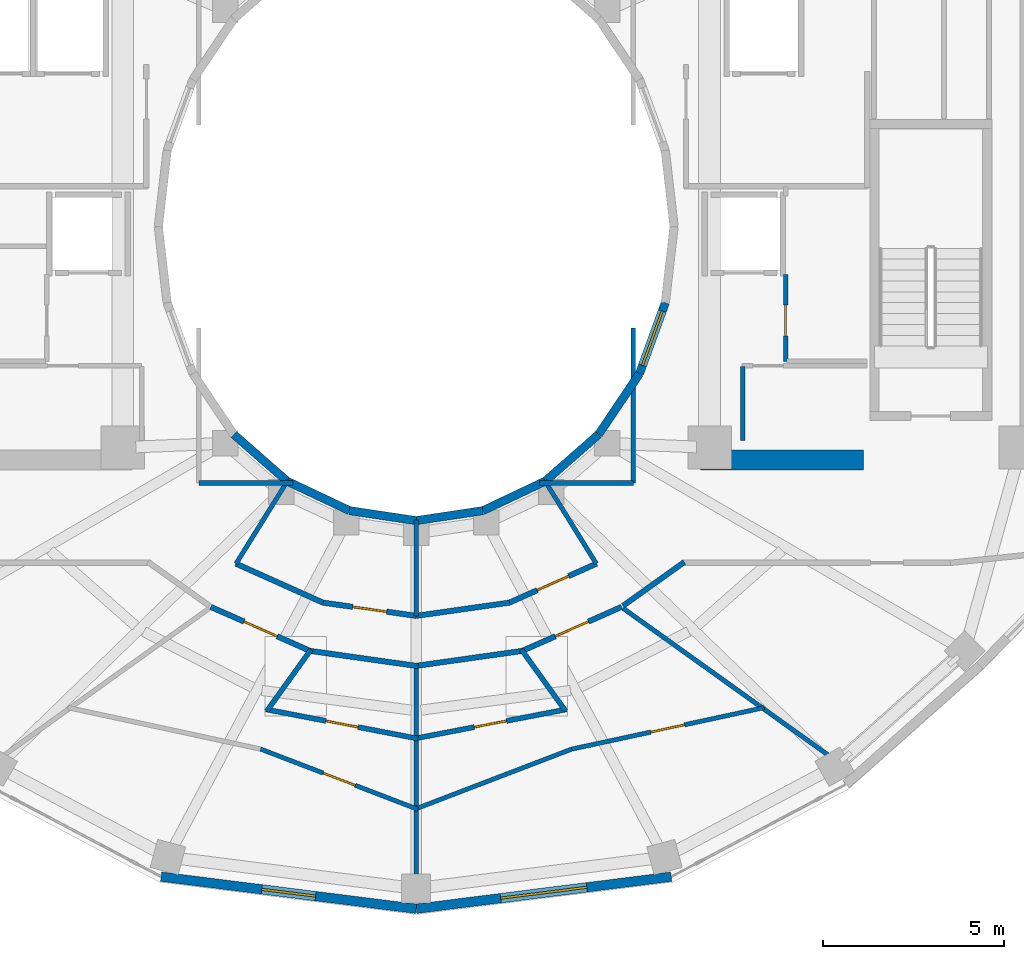
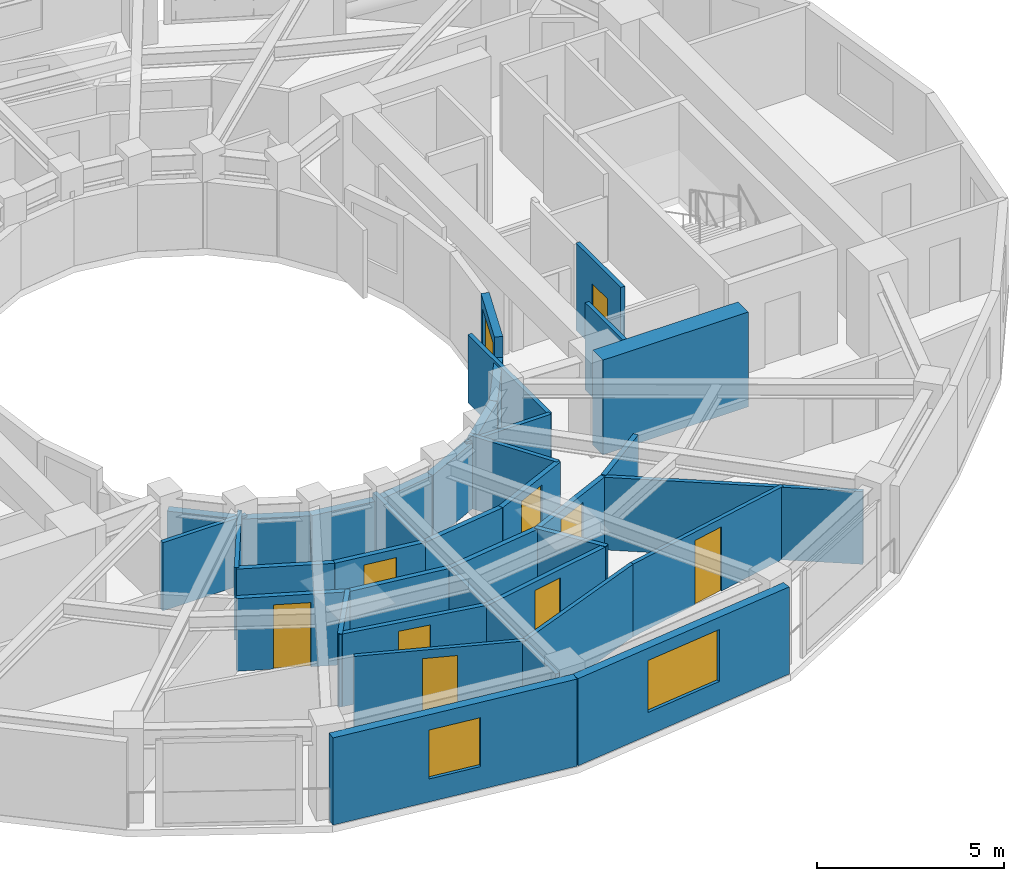
# One storey, part 10 of 16: 37 walls, 9 doors, 3 windows, 12 openings.
"""IFC4 building model written with IfcOpenShell, lengths in metres."""

from ifc_helpers import new_model, si_unit, direction, frame, frame_2d, origin, place, context, subcontext, project, spatial, rectangle, extrude, material, layer, layer_set, type_object, element, fill, save


model = new_model("IFC4")

# Units and contexts
model_context = context("Model", 3, precision=1e-05, world=origin(), true_north=direction((0.0, 1.0)))
body_context = subcontext(model_context, "Body", "Model", "MODEL_VIEW")
ifc_project = project(units=[si_unit("LENGTHUNIT", "METRE"), si_unit("AREAUNIT", "SQUARE_METRE"), si_unit("VOLUMEUNIT", "CUBIC_METRE"), si_unit("PLANEANGLEUNIT", "RADIAN"), si_unit("MASSUNIT", "GRAM", prefix="KILO")], contexts=[model_context])

# Site, building, storey
site_placement = place(None, origin())
site = spatial("IfcSite", under=ifc_project, at=site_placement, CompositionType="ELEMENT")
building_placement = place(site_placement, origin())
building = spatial("IfcBuilding", under=site, at=building_placement, Name="Solvane Sanctuary Tower", CompositionType="ELEMENT")
storey_placement = place(building_placement, frame((0.0, 0.0, 226.39990234375)))
storey = spatial("IfcBuildingStorey", under=building, at=storey_placement, Name="L69", CompositionType="ELEMENT", Elevation=226.39990234375)

# Walls
ifc_material_1 = material(Name="Concrete C50/60", Category="concrete")
ifc_layer_1 = layer(ifc_material_1, 0.550048828125, Name="Concrete C50/60")
ifc_layer_set_1 = layer_set([ifc_layer_1], Name="Concrete C50/60")
wall_type_1 = type_object("IfcWallType", Name="Wall W-CORE-550", PredefinedType="SHEAR", material=ifc_layer_set_1)
wall_1_placement = place(storey_placement, frame((39.85009765625, 16.550048828125, 0.0), z_axis=(0.0, 0.0, 1.0), x_axis=(1.0, 0.0, 0.0)))
element("IfcWall", 1, at=wall_1_placement, inside=storey, type_object=wall_type_1, Name="L69 Core Shear Wall EC-S", PredefinedType="SHEAR", context=body_context, shape_type="SweptSolid", body=[
    extrude(rectangle(XDim=4.5, YDim=0.550048828125, at=frame_2d((2.25, 0.0))), origin(), (0.0, 0.0, 1.0), 3.10009765625),
])
ifc_material_2 = material(Name="Acoustic Gypsum Partition Board")
ifc_layer_2 = layer(ifc_material_2, 0.14990234375, Name="Acoustic Gypsum Partition Board")
ifc_layer_set_2 = layer_set([ifc_layer_2], Name="Acoustic Gypsum Partition Board")
wall_type_2 = type_object("IfcWallType", Name="Wall W-CORR-150", PredefinedType="PARTITIONING", material=ifc_layer_set_2)
wall_2_placement = place(storey_placement, frame((27.01904296875, 13.694091796875, 0.0), z_axis=(0.0, 0.0, 1.0), x_axis=(0.912628408652, -0.408790151203, 0.0)))
element("IfcWall", 2, at=wall_2_placement, inside=storey, type_object=wall_type_2, Name="L69 South Light-Well Corridor Wall 1", PredefinedType="PARTITIONING", context=body_context, shape_type="SweptSolid", body=[
    extrude(rectangle(XDim=2.637939453125, YDim=0.14990234375, at=frame_2d((1.31884765625, 0.0))), origin(), (0.0, 0.0, 1.0), 2.3759765625),
])

# Wall, opening, door
wall_3_placement = place(storey_placement, frame((29.423095703125, 12.61669921875, 0.0), z_axis=(0.0, 0.0, 1.0), x_axis=(0.990078185178, -0.140517569133, 0.0)))
wall_3 = element("IfcWall", 3, at=wall_3_placement, inside=storey, type_object=wall_type_2, Name="L69 South Light-Well Corridor Wall 1", PredefinedType="PARTITIONING", context=body_context, shape_type="SweptSolid", body=[
    extrude(rectangle(XDim=2.609619140625, YDim=0.14990234375, at=frame_2d((1.3046875, 0.0))), origin(), (0.0, 0.0, 1.0), 2.3759765625),
])
opening_1_placement = place(wall_3_placement, frame((0.829833984375, 0.0, 0.0)))
opening_1 = element("IfcOpeningElement", 4, at=opening_1_placement, cuts=wall_3, Name="Opening D-L69-15", PredefinedType="OPENING", context=body_context, shape_type="SweptSolid", body=[
    extrude(rectangle(XDim=0.949951171875, YDim=2.10009765625, at=frame_2d((0.47509765625, 1.050048828125))), frame((0.0, 0.0849609375, 0.0), z_axis=(0.0, -1.0, 0.0), x_axis=(1.0, 0.0, 0.0)), (0.0, 0.0, 1.0), 0.169921875),
])
ifc_material_3 = material(Name="Engineered Tropical Hardwood", Category="wood")
door_type_1 = type_object("IfcDoorType", Name="Door D-ROOM-950", OperationType="NOTDEFINED", PredefinedType="DOOR", material=ifc_material_3)
door_1_placement = place(opening_1_placement, origin())
door_1 = element("IfcDoor", 5, at=door_1_placement, inside=storey, type_object=door_type_1, Name="L69 South Light-Well Alcove Door 1", OperationType="SINGLE_SWING_RIGHT", OverallHeight=2.10009765625, OverallWidth=0.949951171875, PredefinedType="DOOR", context=body_context, shape_type="SweptSolid", body=[
    extrude(rectangle(XDim=0.949951171875, YDim=2.10009765625, at=frame_2d((0.47509765625, 1.050048828125))), frame((0.0, 0.02490234375, 0.0), z_axis=(0.0, -1.0, 0.0), x_axis=(1.0, 0.0, 0.0)), (0.0, 0.0, 1.0), 0.050048828125),
])
fill(opening_1, door_1)

# Wall
wall_4_placement = place(storey_placement, frame((31.9931640625, 12.25, 0.0), z_axis=(0.0, 0.0, 1.0), x_axis=(0.990078185178, 0.140517569133, 0.0)))
element("IfcWall", 6, at=wall_4_placement, inside=storey, type_object=wall_type_2, Name="L69 South Light-Well Corridor Wall 2", PredefinedType="PARTITIONING", context=body_context, shape_type="SweptSolid", body=[
    extrude(rectangle(XDim=2.609619140625, YDim=0.14990234375, at=frame_2d((1.3046875, 0.0))), origin(), (0.0, 0.0, 1.0), 2.3759765625),
])

# Wall, opening, door
wall_5_placement = place(storey_placement, frame((34.573486328125, 12.61572265625, 0.0), z_axis=(0.0, 0.0, 1.0), x_axis=(0.912628408652, 0.408790151203, 0.0)))
wall_5 = element("IfcWall", 7, at=wall_5_placement, inside=storey, type_object=wall_type_2, Name="L69 South Light-Well Corridor Wall 2", PredefinedType="PARTITIONING", context=body_context, shape_type="SweptSolid", body=[
    extrude(rectangle(XDim=2.637939453125, YDim=0.14990234375, at=frame_2d((1.31884765625, 0.0))), origin(), (0.0, 0.0, 1.0), 2.3759765625),
])
opening_2_placement = place(wall_5_placement, frame((0.843994140625, 0.0, 0.0)))
opening_2 = element("IfcOpeningElement", 8, at=opening_2_placement, cuts=wall_5, Name="Opening D-L69-16", PredefinedType="OPENING", context=body_context, shape_type="SweptSolid", body=[
    extrude(rectangle(XDim=0.949951171875, YDim=2.10009765625, at=frame_2d((0.47509765625, 1.050048828125))), frame((0.0, 0.0849609375, 0.0), z_axis=(0.0, -1.0, 0.0), x_axis=(1.0, 0.0, 0.0)), (0.0, 0.0, 1.0), 0.169921875),
])
door_2_placement = place(opening_2_placement, origin())
door_2 = element("IfcDoor", 9, at=door_2_placement, inside=storey, type_object=door_type_1, Name="L69 South Light-Well Alcove Door 2", OperationType="SINGLE_SWING_LEFT", OverallHeight=2.10009765625, OverallWidth=0.949951171875, PredefinedType="DOOR", context=body_context, shape_type="SweptSolid", body=[
    extrude(rectangle(XDim=0.949951171875, YDim=2.10009765625, at=frame_2d((0.47509765625, 1.050048828125))), frame((0.0, 0.02490234375, 0.0), z_axis=(0.0, -1.0, 0.0), x_axis=(1.0, 0.0, 0.0)), (0.0, 0.0, 1.0), 0.050048828125),
])
fill(opening_2, door_2)

# Walls
wall_6_placement = place(storey_placement, frame((37.709716796875, 12.527099609375, 0.0), z_axis=(0.0, 0.0, 1.0), x_axis=(0.813780999276, 0.581171648669, 0.0)))
element("IfcWall", 10, at=wall_6_placement, inside=storey, type_object=wall_type_2, Name="L69 SE Corner Throat Wall", PredefinedType="PARTITIONING", context=body_context, shape_type="SweptSolid", body=[
    extrude(rectangle(XDim=2.082275390625, YDim=0.14990234375, at=frame_2d((1.041015625, 0.0))), origin(), (0.0, 0.0, 1.0), 2.3759765625),
])
wall_7_placement = place(storey_placement, frame((29.01806640625, 11.290283203125, 0.0), z_axis=(0.0, 0.0, 1.0), x_axis=(0.990214091671, -0.13955662885, 0.0)))
element("IfcWall", 11, at=wall_7_placement, inside=storey, type_object=wall_type_2, Name="L69 En-suite Inner Wall S1", PredefinedType="PARTITIONING", context=body_context, shape_type="SweptSolid", body=[
    extrude(rectangle(XDim=3.0615234375, YDim=0.14990234375, at=frame_2d((1.53076171875, 0.0))), origin(), (0.0, 0.0, 1.0), 2.3759765625),
])

# Wall, opening, door
wall_8_placement = place(storey_placement, frame((26.328125, 12.499267578125, 0.0), z_axis=(0.0, 0.0, 1.0), x_axis=(0.914139569865, -0.405399613724, 0.0)))
wall_8 = element("IfcWall", 12, at=wall_8_placement, inside=storey, type_object=wall_type_2, Name="L69 Unit Corridor Wall S1", PredefinedType="PARTITIONING", context=body_context, shape_type="SweptSolid", body=[
    extrude(rectangle(XDim=3.005126953125, YDim=0.14990234375, at=frame_2d((1.50244140625, 0.0))), origin(), (0.0, 0.0, 1.0), 2.3759765625),
])
opening_3_placement = place(wall_8_placement, frame((1.00244140625, 0.0, 0.0)))
opening_3 = element("IfcOpeningElement", 13, at=opening_3_placement, cuts=wall_8, Name="Opening D-L69-33", PredefinedType="OPENING", context=body_context, shape_type="SweptSolid", body=[
    extrude(rectangle(XDim=1.0, YDim=2.10009765625, at=frame_2d((0.5, 1.050048828125))), frame((0.0, 0.0849609375, 0.0), z_axis=(0.0, -1.0, 0.0), x_axis=(1.0, 0.0, 0.0)), (0.0, 0.0, 1.0), 0.169921875),
])
door_type_2 = type_object("IfcDoorType", Name="Door D-UNIT", OperationType="NOTDEFINED", PredefinedType="DOOR", material=ifc_material_3)
door_3_placement = place(opening_3_placement, origin())
door_3 = element("IfcDoor", 14, at=door_3_placement, inside=storey, type_object=door_type_2, Name="L69 Unit Entrance Door S1", OperationType="SINGLE_SWING_RIGHT", OverallHeight=2.10009765625, OverallWidth=1.0, PredefinedType="DOOR", context=body_context, shape_type="SweptSolid", body=[
    extrude(rectangle(XDim=1.0, YDim=2.10009765625, at=frame_2d((0.5, 1.050048828125))), frame((0.0, 0.02490234375, 0.0), z_axis=(0.0, -1.0, 0.0), x_axis=(1.0, 0.0, 0.0)), (0.0, 0.0, 1.0), 0.050048828125),
])
fill(opening_3, door_3)

# Wall
wall_9_placement = place(storey_placement, frame((31.950439453125, 10.863037109375, 0.0), z_axis=(0.0, 0.0, 1.0), x_axis=(0.990214091671, 0.13955662885, 0.0)))
element("IfcWall", 15, at=wall_9_placement, inside=storey, type_object=wall_type_2, Name="L69 En-suite Inner Wall S2", PredefinedType="PARTITIONING", context=body_context, shape_type="SweptSolid", body=[
    extrude(rectangle(XDim=3.0615234375, YDim=0.14990234375, at=frame_2d((1.53076171875, 0.0))), origin(), (0.0, 0.0, 1.0), 2.3759765625),
])

# Wall, opening, door
wall_10_placement = place(storey_placement, frame((34.9248046875, 11.281005859375, 0.0), z_axis=(0.0, 0.0, 1.0), x_axis=(0.914139569865, 0.405399613724, 0.0)))
wall_10 = element("IfcWall", 16, at=wall_10_placement, inside=storey, type_object=wall_type_2, Name="L69 Unit Corridor Wall S2", PredefinedType="PARTITIONING", context=body_context, shape_type="SweptSolid", body=[
    extrude(rectangle(XDim=3.005126953125, YDim=0.14990234375, at=frame_2d((1.50244140625, 0.0))), origin(), (0.0, 0.0, 1.0), 2.3759765625),
])
opening_4_placement = place(wall_10_placement, frame((1.00244140625, 0.0, 0.0)))
opening_4 = element("IfcOpeningElement", 17, at=opening_4_placement, cuts=wall_10, Name="Opening D-L69-36", PredefinedType="OPENING", context=body_context, shape_type="SweptSolid", body=[
    extrude(rectangle(XDim=1.0, YDim=2.10009765625, at=frame_2d((0.5, 1.050048828125))), frame((0.0, 0.0849609375, 0.0), z_axis=(0.0, -1.0, 0.0), x_axis=(1.0, 0.0, 0.0)), (0.0, 0.0, 1.0), 0.169921875),
])
door_4_placement = place(opening_4_placement, origin())
door_4 = element("IfcDoor", 18, at=door_4_placement, inside=storey, type_object=door_type_2, Name="L69 Unit Entrance Door S2", OperationType="SINGLE_SWING_LEFT", OverallHeight=2.10009765625, OverallWidth=1.0, PredefinedType="DOOR", context=body_context, shape_type="SweptSolid", body=[
    extrude(rectangle(XDim=1.0, YDim=2.10009765625, at=frame_2d((0.5, 1.050048828125))), frame((0.0, 0.02490234375, 0.0), z_axis=(0.0, -1.0, 0.0), x_axis=(1.0, 0.0, 0.0)), (0.0, 0.0, 1.0), 0.050048828125),
])
fill(opening_4, door_4)

# Wall, opening, window
ifc_material_4 = material(Name="Precast concrete C40/50", Category="concrete")
ifc_layer_3 = layer(ifc_material_4, 0.260009765625, Name="Precast concrete C40/50")
ifc_layer_set_3 = layer_set([ifc_layer_3], Name="Precast concrete C40/50")
wall_type_3 = type_object("IfcWallType", Name="Wall W-EXT-250", PredefinedType="STANDARD", material=ifc_layer_set_3)
wall_11_placement = place(storey_placement, frame((24.95703125, 5.048095703125, 0.0), z_axis=(0.0, 0.0, 1.0), x_axis=(0.992180211307, -0.124813574142, 0.0)))
wall_11 = element("IfcWall", 19, at=wall_11_placement, inside=storey, type_object=wall_type_3, Name="L69 Ceramic-Printed Facade Wall 17", PredefinedType="STANDARD", context=body_context, shape_type="SweptSolid", body=[
    extrude(rectangle(XDim=7.098388671875, YDim=0.260009765625, at=frame_2d((3.54931640625, 0.0))), origin(), (0.0, 0.0, 1.0), 2.85009765625),
])
opening_5_placement = place(wall_11_placement, frame((2.79931640625, 0.0, 0.75)))
opening_5 = element("IfcOpeningElement", 20, at=opening_5_placement, cuts=wall_11, Name="Opening WN-OPER-1500", PredefinedType="OPENING", context=body_context, shape_type="SweptSolid", body=[
    extrude(rectangle(XDim=1.5, YDim=1.60009765625, at=frame_2d((0.75, 0.800048828125))), frame((0.0, 0.139892578125, 0.0), z_axis=(0.0, -1.0, 0.0), x_axis=(1.0, 0.0, 0.0)), (0.0, 0.0, 1.0), 0.280029296875),
])
ifc_material_5 = material(Name="Dark Ceramic-Fritted Low-E Glass", Category="glass")
window_type_1 = type_object("IfcWindowType", Name="Window WN-OPER-1500", PartitioningType="SINGLE_PANEL", PredefinedType="WINDOW", material=ifc_material_5)
window_1_placement = place(opening_5_placement, origin())
window_1 = element("IfcWindow", 21, at=window_1_placement, inside=storey, type_object=window_type_1, Name="L69 Operable Facade Window 17", OverallHeight=1.60009765625, OverallWidth=1.5, PartitioningType="SINGLE_PANEL", PredefinedType="WINDOW", context=body_context, shape_type="SweptSolid", body=[
    extrude(rectangle(XDim=1.5, YDim=1.60009765625, at=frame_2d((0.75, 0.800048828125))), frame((0.0, 0.030029296875, 0.0), z_axis=(0.0, -1.0, 0.0), x_axis=(1.0, 0.0, 0.0)), (0.0, 0.0, 1.0), 0.06005859375),
])
fill(opening_5, window_1)

wall_12_placement = place(storey_placement, frame((32.0, 4.162109375, 0.0), z_axis=(0.0, 0.0, 1.0), x_axis=(0.992180211307, 0.124813574142, 0.0)))
wall_12 = element("IfcWall", 22, at=wall_12_placement, inside=storey, type_object=wall_type_3, Name="L69 Ceramic-Printed Facade Wall 18", PredefinedType="STANDARD", context=body_context, shape_type="SweptSolid", body=[
    extrude(rectangle(XDim=7.098388671875, YDim=0.260009765625, at=frame_2d((3.54931640625, 0.0))), origin(), (0.0, 0.0, 1.0), 2.85009765625),
])
opening_6_placement = place(wall_12_placement, frame((2.34912109375, 0.0, 0.75)))
opening_6 = element("IfcOpeningElement", 23, at=opening_6_placement, cuts=wall_12, Name="Opening WN-RIB-2400", PredefinedType="OPENING", context=body_context, shape_type="SweptSolid", body=[
    extrude(rectangle(XDim=2.39990234375, YDim=1.699951171875, at=frame_2d((1.199951171875, 0.85009765625))), frame((0.0, 0.139892578125, 0.0), z_axis=(0.0, -1.0, 0.0), x_axis=(1.0, 0.0, 0.0)), (0.0, 0.0, 1.0), 0.280029296875),
])
window_type_2 = type_object("IfcWindowType", Name="Window WN-RIB-2400", PartitioningType="SINGLE_PANEL", PredefinedType="WINDOW", material=ifc_material_5)
window_2_placement = place(opening_6_placement, origin())
window_2 = element("IfcWindow", 24, at=window_2_placement, inside=storey, type_object=window_type_2, Name="L69 Operable Facade Window 18", OverallHeight=1.699951171875, OverallWidth=2.39990234375, PartitioningType="SINGLE_PANEL", PredefinedType="WINDOW", context=body_context, shape_type="SweptSolid", body=[
    extrude(rectangle(XDim=2.39990234375, YDim=1.699951171875, at=frame_2d((1.199951171875, 0.85009765625))), frame((0.0, 0.030029296875, 0.0), z_axis=(0.0, -1.0, 0.0), x_axis=(1.0, 0.0, 0.0)), (0.0, 0.0, 1.0), 0.06005859375),
])
fill(opening_6, window_2)

# Walls
ifc_layer_4 = layer(ifc_material_4, 0.22998046875, Name="Precast concrete C40/50")
ifc_layer_set_4 = layer_set([ifc_layer_4], Name="Precast concrete C40/50")
wall_type_4 = type_object("IfcWallType", Name="Wall W-EXT-SP220", PredefinedType="STANDARD", material=ifc_layer_set_4)
wall_13_placement = place(storey_placement, frame((26.96533203125, 17.25830078125, 0.0), z_axis=(0.0, 0.0, 1.0), x_axis=(0.752576694707, -0.658504607869, 0.0)))
element("IfcWall", 25, at=wall_13_placement, inside=storey, type_object=wall_type_4, Name="L69 Central Light-Well Wall 15", PredefinedType="STANDARD", context=body_context, shape_type="SweptSolid", body=[
    extrude(rectangle(XDim=1.95947265625, YDim=0.22998046875, at=frame_2d((0.979736328125, 0.0))), origin(), (0.0, 0.0, 1.0), 2.16015625),
])
wall_14_placement = place(storey_placement, frame((28.43994140625, 15.968017578125, 0.0), z_axis=(0.0, 0.0, 1.0), x_axis=(0.904179699603, -0.427152280606, 0.0)))
element("IfcWall", 26, at=wall_14_placement, inside=storey, type_object=wall_type_4, Name="L69 Central Light-Well Wall 16", PredefinedType="STANDARD", context=body_context, shape_type="SweptSolid", body=[
    extrude(rectangle(XDim=1.899169921875, YDim=0.22998046875, at=frame_2d((0.94970703125, 0.0))), origin(), (0.0, 0.0, 1.0), 2.16015625),
])
for number, where, z_axis, x_axis, name in (
    (27, (30.1572265625, 15.15673828125, 0.0), (0.0, 0.0, 1.0), (0.988901730308, -0.148571086668, 0.0), "L69 Central Light-Well Wall 17"),
    (28, (32.0, 14.8798828125, 0.0), (0.0, 0.0, 1.0), (0.988901730308, 0.148571086668, 0.0), "L69 Central Light-Well Wall 18"),
):
    element("IfcWall", number, at=place(storey_placement, frame(where, z_axis=z_axis, x_axis=x_axis)), inside=storey, type_object=wall_type_4, Name=name, PredefinedType="STANDARD", context=body_context, shape_type="SweptSolid", body=[
        extrude(rectangle(XDim=1.863525390625, YDim=0.22998046875, at=frame_2d((0.931640625, 0.0))), origin(), (0.0, 0.0, 1.0), 2.16015625),
    ])
wall_15_placement = place(storey_placement, frame((33.8427734375, 15.15673828125, 0.0), z_axis=(0.0, 0.0, 1.0), x_axis=(0.904179699603, 0.427152280606, 0.0)))
element("IfcWall", 29, at=wall_15_placement, inside=storey, type_object=wall_type_4, Name="L69 Central Light-Well Wall 19", PredefinedType="STANDARD", context=body_context, shape_type="SweptSolid", body=[
    extrude(rectangle(XDim=1.899169921875, YDim=0.22998046875, at=frame_2d((0.94970703125, 0.0))), origin(), (0.0, 0.0, 1.0), 2.16015625),
])
wall_16_placement = place(storey_placement, frame((35.56005859375, 15.968017578125, 0.0), z_axis=(0.0, 0.0, 1.0), x_axis=(0.752576694707, 0.658504607869, 0.0)))
element("IfcWall", 30, at=wall_16_placement, inside=storey, type_object=wall_type_4, Name="L69 Central Light-Well Wall 20", PredefinedType="STANDARD", context=body_context, shape_type="SweptSolid", body=[
    extrude(rectangle(XDim=1.95947265625, YDim=0.22998046875, at=frame_2d((0.979736328125, 0.0))), origin(), (0.0, 0.0, 1.0), 2.16015625),
])
wall_17_placement = place(storey_placement, frame((37.03466796875, 17.25830078125, 0.0), z_axis=(0.0, 0.0, 1.0), x_axis=(0.558197800898, 0.829707909492, 0.0)))
element("IfcWall", 31, at=wall_17_placement, inside=storey, type_object=wall_type_4, Name="L69 Central Light-Well Wall 21", PredefinedType="STANDARD", context=body_context, shape_type="SweptSolid", body=[
    extrude(rectangle(XDim=2.02685546875, YDim=0.22998046875, at=frame_2d((1.013427734375, 0.0))), origin(), (0.0, 0.0, 1.0), 2.16015625),
])

# Wall, opening, window
wall_18_placement = place(storey_placement, frame((38.166015625, 18.93994140625, 0.0), z_axis=(0.0, 0.0, 1.0), x_axis=(0.341423187295, 0.93990968033, 0.0)))
wall_18 = element("IfcWall", 32, at=wall_18_placement, inside=storey, type_object=wall_type_4, Name="L69 Central Light-Well Wall 22", PredefinedType="STANDARD", context=body_context, shape_type="SweptSolid", body=[
    extrude(rectangle(XDim=2.083740234375, YDim=0.22998046875, at=frame_2d((1.0419921875, 0.0))), origin(), (0.0, 0.0, 1.0), 2.840087890625),
])
opening_7_placement = place(wall_18_placement, frame((0.24169921875, 0.0, 0.85009765625)))
opening_7 = element("IfcOpeningElement", 33, at=opening_7_placement, cuts=wall_18, Name="Opening WN-WELL-1600", PredefinedType="OPENING", context=body_context, shape_type="SweptSolid", body=[
    extrude(rectangle(XDim=1.60009765625, YDim=1.64990234375, at=frame_2d((0.800048828125, 0.824951171875))), frame((0.0, 0.125, 0.0), z_axis=(0.0, -1.0, 0.0), x_axis=(1.0, 0.0, 0.0)), (0.0, 0.0, 1.0), 0.25),
])
ifc_material_6 = material(Name="Clear Laminated Light-Well Glass", Category="glass")
window_type_3 = type_object("IfcWindowType", Name="Window WN-WELL-1600", PartitioningType="SINGLE_PANEL", PredefinedType="WINDOW", material=ifc_material_6)
window_3_placement = place(opening_7_placement, origin())
window_3 = element("IfcWindow", 34, at=window_3_placement, inside=storey, type_object=window_type_3, Name="L69 Light-Well Daylight Window 22", OverallHeight=1.64990234375, OverallWidth=1.60009765625, PartitioningType="SINGLE_PANEL", PredefinedType="WINDOW", context=body_context, shape_type="SweptSolid", body=[
    extrude(rectangle(XDim=1.60009765625, YDim=1.64990234375, at=frame_2d((0.800048828125, 0.824951171875))), frame((0.0, 0.030029296875, 0.0), z_axis=(0.0, -1.0, 0.0), x_axis=(1.0, 0.0, 0.0)), (0.0, 0.0, 1.0), 0.06005859375),
])
fill(opening_7, window_3)

# Wall, opening, door
ifc_layer_5 = layer(ifc_material_2, 0.1201171875, Name="Acoustic Gypsum Partition Board")
ifc_layer_set_5 = layer_set([ifc_layer_5], Name="Acoustic Gypsum Partition Board")
wall_type_5 = type_object("IfcWallType", Name="Wall W-MOV-100", PredefinedType="MOVABLE", material=ifc_layer_set_5)
wall_19_placement = place(storey_placement, frame((27.70166015625, 8.5732421875, 0.0), z_axis=(0.0, 0.0, 1.0), x_axis=(0.933766866443, -0.357881878744, 0.0)))
wall_19 = element("IfcWall", 35, at=wall_19_placement, inside=storey, type_object=wall_type_5, Name="L69 Suite Sitting Lounge Partition S1", PredefinedType="MOVABLE", context=body_context, shape_type="SweptSolid", body=[
    extrude(rectangle(XDim=4.653076171875, YDim=0.1201171875, at=frame_2d((2.32666015625, 0.0))), origin(), (0.0, 0.0, 1.0), 2.3759765625),
])
opening_8_placement = place(wall_19_placement, frame((1.8515625, 0.0, 0.0)))
opening_8 = element("IfcOpeningElement", 36, at=opening_8_placement, cuts=wall_19, Name="Opening D-L69-31", PredefinedType="OPENING", context=body_context, shape_type="SweptSolid", body=[
    extrude(rectangle(XDim=0.949951171875, YDim=2.10009765625, at=frame_2d((0.47509765625, 1.050048828125))), frame((0.0, 0.070068359375, 0.0), z_axis=(0.0, -1.0, 0.0), x_axis=(1.0, 0.0, 0.0)), (0.0, 0.0, 1.0), 0.14013671875),
])
door_5_placement = place(opening_8_placement, origin())
door_5 = element("IfcDoor", 37, at=door_5_placement, inside=storey, type_object=door_type_1, Name="L69 Suite Sitting Lounge Door S1", OperationType="SINGLE_SWING_RIGHT", OverallHeight=2.10009765625, OverallWidth=0.949951171875, PredefinedType="DOOR", context=body_context, shape_type="SweptSolid", body=[
    extrude(rectangle(XDim=0.949951171875, YDim=2.10009765625, at=frame_2d((0.47509765625, 1.050048828125))), frame((0.0, 0.02490234375, 0.0), z_axis=(0.0, -1.0, 0.0), x_axis=(1.0, 0.0, 0.0)), (0.0, 0.0, 1.0), 0.050048828125),
])
fill(opening_8, door_5)

# Wall
wall_20_placement = place(storey_placement, frame((31.953369140625, 6.907958984375, 0.0), z_axis=(0.0, 0.0, 1.0), x_axis=(0.933766866443, 0.357881878744, 0.0)))
element("IfcWall", 38, at=wall_20_placement, inside=storey, type_object=wall_type_5, Name="L69 Suite Sitting Lounge Partition S2", PredefinedType="MOVABLE", context=body_context, shape_type="SweptSolid", body=[
    extrude(rectangle(XDim=4.653076171875, YDim=0.1201171875, at=frame_2d((2.32666015625, 0.0))), origin(), (0.0, 0.0, 1.0), 2.3759765625),
])

# Wall, opening, door
wall_21_placement = place(storey_placement, frame((36.279296875, 8.5673828125, 0.0), z_axis=(0.0, 0.0, 1.0), x_axis=(0.977534972695, 0.210773283785, 0.0)))
wall_21 = element("IfcWall", 39, at=wall_21_placement, inside=storey, type_object=wall_type_5, Name="L69 Suite Sitting Lounge Partition S2", PredefinedType="MOVABLE", context=body_context, shape_type="SweptSolid", body=[
    extrude(rectangle(XDim=5.453369140625, YDim=0.1201171875, at=frame_2d((2.7265625, 0.0))), origin(), (0.0, 0.0, 1.0), 2.3759765625),
])
opening_9_placement = place(wall_21_placement, frame((2.251708984375, 0.0, 0.0)))
opening_9 = element("IfcOpeningElement", 40, at=opening_9_placement, cuts=wall_21, Name="Opening D-L69-34", PredefinedType="OPENING", context=body_context, shape_type="SweptSolid", body=[
    extrude(rectangle(XDim=0.949951171875, YDim=2.10009765625, at=frame_2d((0.47509765625, 1.050048828125))), frame((0.0, 0.070068359375, 0.0), z_axis=(0.0, -1.0, 0.0), x_axis=(1.0, 0.0, 0.0)), (0.0, 0.0, 1.0), 0.14013671875),
])
door_6_placement = place(opening_9_placement, origin())
door_6 = element("IfcDoor", 41, at=door_6_placement, inside=storey, type_object=door_type_1, Name="L69 Suite Sitting Lounge Door S2", OperationType="SINGLE_SWING_LEFT", OverallHeight=2.10009765625, OverallWidth=0.949951171875, PredefinedType="DOOR", context=body_context, shape_type="SweptSolid", body=[
    extrude(rectangle(XDim=0.949951171875, YDim=2.10009765625, at=frame_2d((0.47509765625, 1.050048828125))), frame((0.0, 0.02490234375, 0.0), z_axis=(0.0, -1.0, 0.0), x_axis=(1.0, 0.0, 0.0)), (0.0, 0.0, 1.0), 0.050048828125),
])
fill(opening_9, door_6)

# Wall
ifc_layer_6 = layer(ifc_material_2, 0.125, Name="Acoustic Gypsum Partition Board")
ifc_layer_set_6 = layer_set([ifc_layer_6], Name="Acoustic Gypsum Partition Board")
wall_type_6 = type_object("IfcWallType", Name="Wall W-PART-125", PredefinedType="PARTITIONING", material=ifc_layer_set_6)
wall_22_placement = place(storey_placement, frame((41.02001953125, 17.10009765625, 0.0), z_axis=(0.0, 0.0, 1.0), x_axis=(0.0, 1.0, 0.0)))
element("IfcWall", 42, at=wall_22_placement, inside=storey, type_object=wall_type_6, Name="L69 Reclaimed Room Closer Wall PLE-1", PredefinedType="PARTITIONING", context=body_context, shape_type="SweptSolid", body=[
    extrude(rectangle(XDim=2.039794921875, YDim=0.125, at=frame_2d((1.02001953125, 0.0))), origin(), (0.0, 0.0, 1.0), 2.85498046875),
])

# Wall, opening, door
wall_23_placement = place(storey_placement, frame((42.199951171875, 19.280029296875, 0.0), z_axis=(0.0, 0.0, 1.0), x_axis=(0.0, 1.0, 0.0)))
wall_23 = element("IfcWall", 43, at=wall_23_placement, inside=storey, type_object=wall_type_6, Name="L69 Reclaimed Room Partition PME", PredefinedType="PARTITIONING", context=body_context, shape_type="SweptSolid", body=[
    extrude(rectangle(XDim=2.39990234375, YDim=0.125, at=frame_2d((1.199951171875, 0.0))), origin(), (0.0, 0.0, 1.0), 2.85498046875),
])
opening_10_placement = place(wall_23_placement, frame((0.699951171875, 0.0, 0.0)))
opening_10 = element("IfcOpeningElement", 44, at=opening_10_placement, cuts=wall_23, Name="Opening D-L69-08", PredefinedType="OPENING", context=body_context, shape_type="SweptSolid", body=[
    extrude(rectangle(XDim=0.85009765625, YDim=2.050048828125, at=frame_2d((0.425048828125, 1.02490234375))), frame((0.0, 0.072509765625, 0.0), z_axis=(0.0, -1.0, 0.0), x_axis=(1.0, 0.0, 0.0)), (0.0, 0.0, 1.0), 0.14501953125),
])
ifc_material_7 = material(Name="Architectural Stainless Steel 316", Category="steel")
door_type_3 = type_object("IfcDoorType", Name="Door D-RISER", OperationType="NOTDEFINED", PredefinedType="DOOR", material=ifc_material_7)
door_7_placement = place(opening_10_placement, origin())
door_7 = element("IfcDoor", 45, at=door_7_placement, inside=storey, type_object=door_type_3, Name="L69 Reclaimed Room Door PME-1", OperationType="SINGLE_SWING_LEFT", OverallHeight=2.050048828125, OverallWidth=0.85009765625, PredefinedType="DOOR", context=body_context, shape_type="SweptSolid", body=[
    extrude(rectangle(XDim=0.85009765625, YDim=2.050048828125, at=frame_2d((0.425048828125, 1.02490234375))), frame((0.0, 0.02490234375, 0.0), z_axis=(0.0, -1.0, 0.0), x_axis=(1.0, 0.0, 0.0)), (0.0, 0.0, 1.0), 0.050048828125),
])
fill(opening_10, door_7)

# Walls
wall_24_placement = place(storey_placement, frame((28.449951171875, 15.985107421875, 0.0), z_axis=(0.0, 0.0, 1.0), x_axis=(-0.527527080983, -0.849538215049, 0.0)))
element("IfcWall", 46, at=wall_24_placement, inside=storey, type_object=wall_type_6, Name="L69 South Light-Well Radial Wall 240", PredefinedType="PARTITIONING", context=body_context, shape_type="SweptSolid", body=[
    extrude(rectangle(XDim=2.701416015625, YDim=0.125, at=frame_2d((1.3505859375, 0.0))), origin(), (0.0, 0.0, 1.0), 2.3759765625),
])
wall_25_placement = place(storey_placement, frame((32.0, 14.89990234375, 0.0), z_axis=(0.0, 0.0, 1.0), x_axis=(0.0, -1.0, 0.0)))
element("IfcWall", 47, at=wall_25_placement, inside=storey, type_object=wall_type_6, Name="L69 South Light-Well Radial Wall 270", PredefinedType="PARTITIONING", context=body_context, shape_type="SweptSolid", body=[
    extrude(rectangle(XDim=2.64990234375, YDim=0.125, at=frame_2d((1.324951171875, 0.0))), origin(), (0.0, 0.0, 1.0), 2.3759765625),
])
wall_26_placement = place(storey_placement, frame((35.550048828125, 15.985107421875, 0.0), z_axis=(0.0, 0.0, 1.0), x_axis=(0.527527080983, -0.849538215049, 0.0)))
element("IfcWall", 48, at=wall_26_placement, inside=storey, type_object=wall_type_6, Name="L69 South Light-Well Radial Wall 300", PredefinedType="PARTITIONING", context=body_context, shape_type="SweptSolid", body=[
    extrude(rectangle(XDim=2.701416015625, YDim=0.125, at=frame_2d((1.3505859375, 0.0))), origin(), (0.0, 0.0, 1.0), 2.3759765625),
])
wall_27_placement = place(storey_placement, frame((26.0, 15.919921875, 0.0), z_axis=(0.0, 0.0, 1.0), x_axis=(1.0, 0.0, 0.0)))
element("IfcWall", 49, at=wall_27_placement, inside=storey, type_object=wall_type_6, Name="L69 Bridge Alcove Wall 6", PredefinedType="PARTITIONING", context=body_context, shape_type="SweptSolid", body=[
    extrude(rectangle(XDim=2.60009765625, YDim=0.125, at=frame_2d((1.300048828125, 0.0))), origin(), (0.0, 0.0, 1.0), 2.232177734375),
])
wall_28_placement = place(storey_placement, frame((38.0, 15.919921875, 0.0), z_axis=(0.0, 0.0, 1.0), x_axis=(0.0, 1.0, 0.0)))
element("IfcWall", 50, at=wall_28_placement, inside=storey, type_object=wall_type_6, Name="L69 Bridge Alcove Wall 7", PredefinedType="PARTITIONING", context=body_context, shape_type="SweptSolid", body=[
    extrude(rectangle(XDim=4.280029296875, YDim=0.125, at=frame_2d((2.14013671875, 0.0))), origin(), (0.0, 0.0, 1.0), 2.232177734375),
])
wall_29_placement = place(storey_placement, frame((35.39990234375, 15.919921875, 0.0), z_axis=(0.0, 0.0, 1.0), x_axis=(1.0, 0.0, 0.0)))
element("IfcWall", 51, at=wall_29_placement, inside=storey, type_object=wall_type_6, Name="L69 Bridge Alcove Wall 8", PredefinedType="PARTITIONING", context=body_context, shape_type="SweptSolid", body=[
    extrude(rectangle(XDim=2.60009765625, YDim=0.125, at=frame_2d((1.300048828125, 0.0))), origin(), (0.0, 0.0, 1.0), 2.232177734375),
])
wall_30_placement = place(storey_placement, frame((32.0, 10.81494140625, 0.0), z_axis=(0.0, 0.0, 1.0), x_axis=(0.0, -1.0, 0.0)))
element("IfcWall", 52, at=wall_30_placement, inside=storey, type_object=wall_type_6, Name="L69 Radial Compartment Wall 270", PredefinedType="PARTITIONING", context=body_context, shape_type="SweptSolid", body=[
    extrude(rectangle(XDim=5.71484375, YDim=0.125, at=frame_2d((2.857421875, 0.0))), origin(), (0.0, 0.0, 1.0), 2.3759765625),
])
wall_31_placement = place(storey_placement, frame((37.709716796875, 12.463134765625, 0.0), z_axis=(0.0, 0.0, 1.0), x_axis=(0.813163816543, -0.582034885093, 0.0)))
element("IfcWall", 53, at=wall_31_placement, inside=storey, type_object=wall_type_6, Name="L69 Radial Compartment Wall 300", PredefinedType="PARTITIONING", context=body_context, shape_type="SweptSolid", body=[
    extrude(rectangle(XDim=6.95458984375, YDim=0.125, at=frame_2d((3.477294921875, 0.0))), origin(), (0.0, 0.0, 1.0), 2.3759765625),
])
ifc_layer_7 = layer(ifc_material_2, 0.139892578125, Name="Acoustic Gypsum Partition Board")
ifc_layer_set_7 = layer_set([ifc_layer_7], Name="Acoustic Gypsum Partition Board")
wall_type_7 = type_object("IfcWallType", Name="Wall W-WET-140", PredefinedType="PLUMBINGWALL", material=ifc_layer_set_7)
wall_32_placement = place(storey_placement, frame((29.0966796875, 11.323974609375, 0.0), z_axis=(0.0, 0.0, 1.0), x_axis=(-0.583259891741, -0.812285601673, 0.0)))
element("IfcWall", 54, at=wall_32_placement, inside=storey, type_object=wall_type_7, Name="L69 En-suite Side Partition S1", PredefinedType="PLUMBINGWALL", context=body_context, shape_type="SweptSolid", body=[
    extrude(rectangle(XDim=2.10009765625, YDim=0.139892578125, at=frame_2d((1.050048828125, 0.0))), origin(), (0.0, 0.0, 1.0), 2.385009765625),
])

# Wall, opening, door
wall_33_placement = place(storey_placement, frame((27.85205078125, 9.668212890625, 0.0), z_axis=(0.0, 0.0, 1.0), x_axis=(0.98198484664, -0.188959680803, 0.0)))
wall_33 = element("IfcWall", 55, at=wall_33_placement, inside=storey, type_object=wall_type_7, Name="L69 En-suite Bedroom Wall S1", PredefinedType="PLUMBINGWALL", context=body_context, shape_type="SweptSolid", body=[
    extrude(rectangle(XDim=4.27392578125, YDim=0.139892578125, at=frame_2d((2.136962890625, 0.0))), origin(), (0.0, 0.0, 1.0), 2.3759765625),
])
opening_11_placement = place(wall_33_placement, frame((1.68701171875, 0.0, 0.0)))
opening_11 = element("IfcOpeningElement", 56, at=opening_11_placement, cuts=wall_33, Name="Opening D-L69-32", PredefinedType="OPENING", context=body_context, shape_type="SweptSolid", body=[
    extrude(rectangle(XDim=0.89990234375, YDim=2.10009765625, at=frame_2d((0.449951171875, 1.050048828125))), frame((0.0, 0.079833984375, 0.0), z_axis=(0.0, -1.0, 0.0), x_axis=(1.0, 0.0, 0.0)), (0.0, 0.0, 1.0), 0.159912109375),
])
door_type_4 = type_object("IfcDoorType", Name="Door D-WET-900", OperationType="NOTDEFINED", PredefinedType="DOOR", material=ifc_material_3)
door_8_placement = place(opening_11_placement, origin())
door_8 = element("IfcDoor", 57, at=door_8_placement, inside=storey, type_object=door_type_4, Name="L69 En-suite Bathroom Door S1", OperationType="SINGLE_SWING_LEFT", OverallHeight=2.10009765625, OverallWidth=0.89990234375, PredefinedType="DOOR", context=body_context, shape_type="SweptSolid", body=[
    extrude(rectangle(XDim=0.89990234375, YDim=2.10009765625, at=frame_2d((0.449951171875, 1.050048828125))), frame((0.0, 0.02490234375, 0.0), z_axis=(0.0, -1.0, 0.0), x_axis=(1.0, 0.0, 0.0)), (0.0, 0.0, 1.0), 0.050048828125),
])
fill(opening_11, door_8)

# Wall
wall_34_placement = place(storey_placement, frame((34.9033203125, 11.323974609375, 0.0), z_axis=(0.0, 0.0, 1.0), x_axis=(0.583259891741, -0.812285601673, 0.0)))
element("IfcWall", 58, at=wall_34_placement, inside=storey, type_object=wall_type_7, Name="L69 En-suite Side Partition S2", PredefinedType="PLUMBINGWALL", context=body_context, shape_type="SweptSolid", body=[
    extrude(rectangle(XDim=2.10009765625, YDim=0.139892578125, at=frame_2d((1.050048828125, 0.0))), origin(), (0.0, 0.0, 1.0), 2.385009765625),
])

# Wall, opening, door
wall_35_placement = place(storey_placement, frame((31.950927734375, 8.860595703125, 0.0), z_axis=(0.0, 0.0, 1.0), x_axis=(0.98198484664, 0.188959680803, 0.0)))
wall_35 = element("IfcWall", 59, at=wall_35_placement, inside=storey, type_object=wall_type_7, Name="L69 En-suite Bedroom Wall S2", PredefinedType="PLUMBINGWALL", context=body_context, shape_type="SweptSolid", body=[
    extrude(rectangle(XDim=4.27392578125, YDim=0.139892578125, at=frame_2d((2.136962890625, 0.0))), origin(), (0.0, 0.0, 1.0), 2.3759765625),
])
opening_12_placement = place(wall_35_placement, frame((1.68701171875, 0.0, 0.0)))
opening_12 = element("IfcOpeningElement", 60, at=opening_12_placement, cuts=wall_35, Name="Opening D-L69-35", PredefinedType="OPENING", context=body_context, shape_type="SweptSolid", body=[
    extrude(rectangle(XDim=0.89990234375, YDim=2.10009765625, at=frame_2d((0.449951171875, 1.050048828125))), frame((0.0, 0.079833984375, 0.0), z_axis=(0.0, -1.0, 0.0), x_axis=(1.0, 0.0, 0.0)), (0.0, 0.0, 1.0), 0.159912109375),
])
door_9_placement = place(opening_12_placement, origin())
door_9 = element("IfcDoor", 61, at=door_9_placement, inside=storey, type_object=door_type_4, Name="L69 En-suite Bathroom Door S2", OperationType="SINGLE_SWING_RIGHT", OverallHeight=2.10009765625, OverallWidth=0.89990234375, PredefinedType="DOOR", context=body_context, shape_type="SweptSolid", body=[
    extrude(rectangle(XDim=0.89990234375, YDim=2.10009765625, at=frame_2d((0.449951171875, 1.050048828125))), frame((0.0, 0.02490234375, 0.0), z_axis=(0.0, -1.0, 0.0), x_axis=(1.0, 0.0, 0.0)), (0.0, 0.0, 1.0), 0.050048828125),
])
fill(opening_12, door_9)

save(model, "model.ifc")
